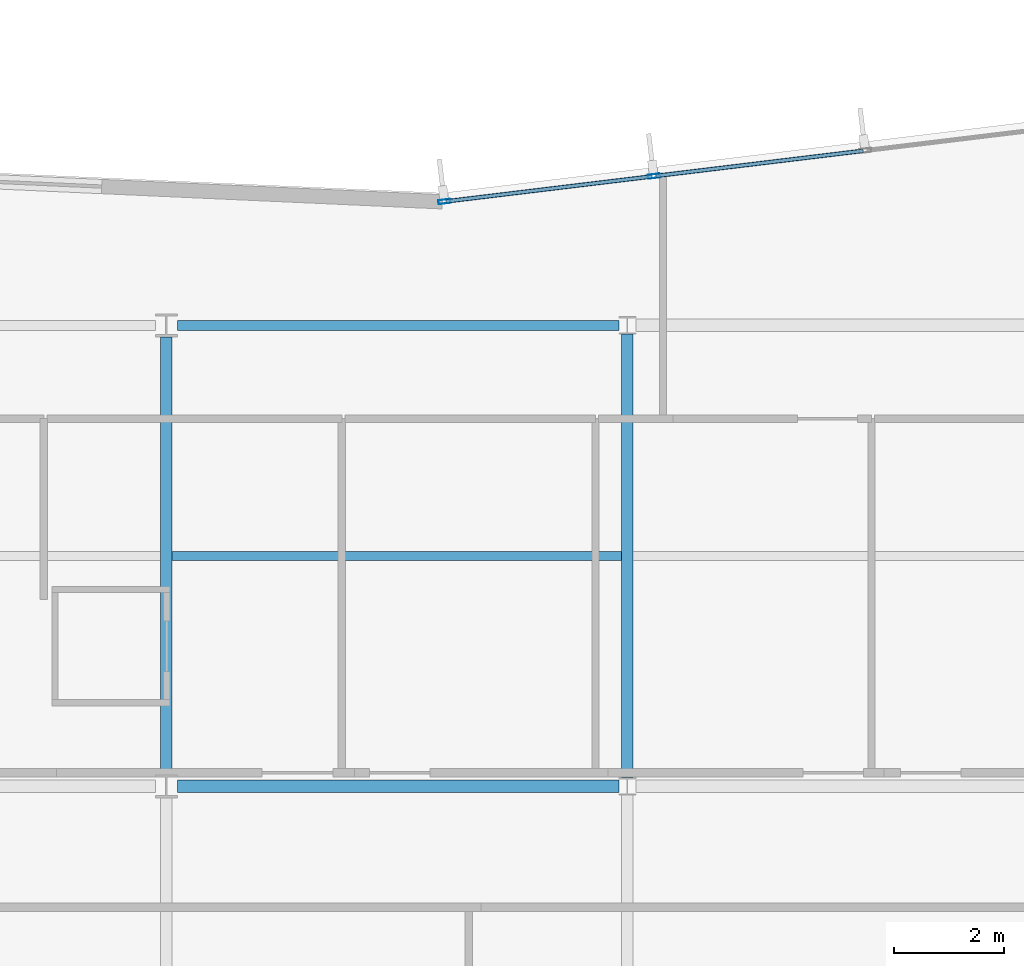
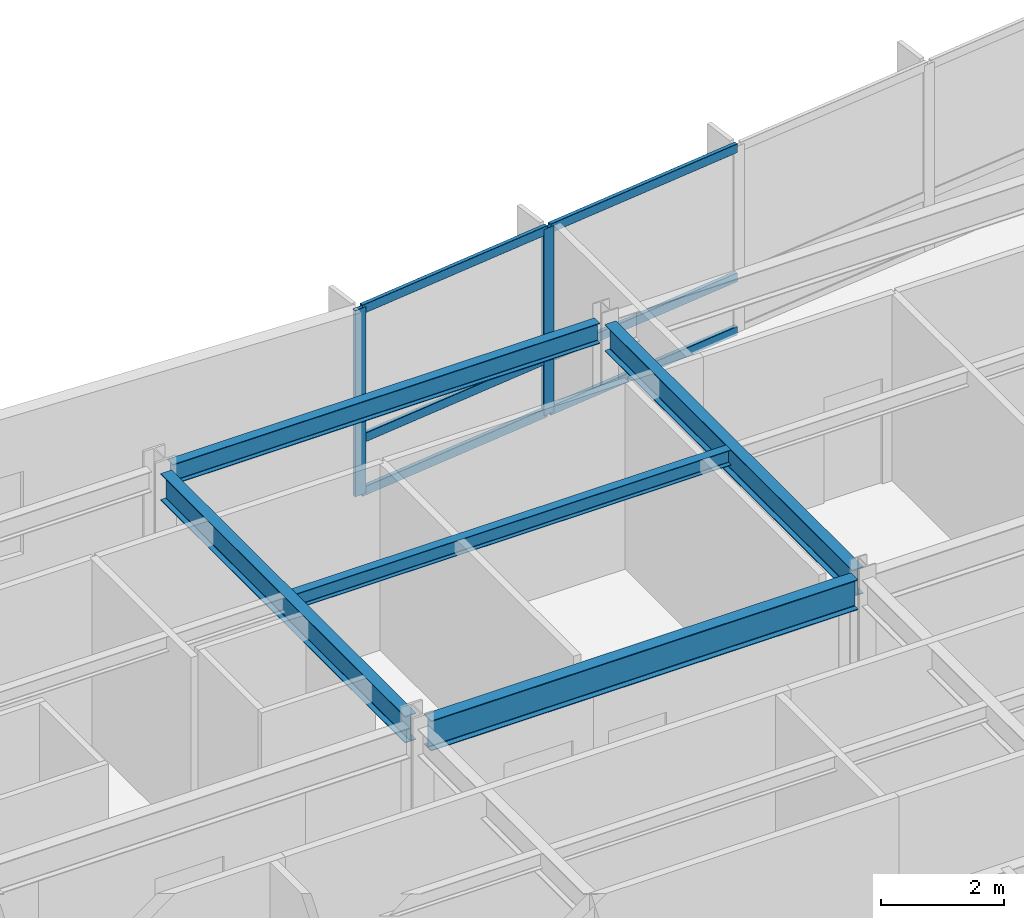
# One storey, part 6 of 18: 8 members, 5 beams, 1 element without a shape of its own.
"""IFC4 building model written with IfcOpenShell, lengths in metres."""

from ifc_helpers import new_model, si_unit, direction, frame, origin, origin_2d, place, context, subcontext, project, spatial, hollow_rectangle, i_section, extrude, material, layer, layer_set, material_profile, profile_set, type_object, element, aggregate, save


model = new_model("IFC4")

# Units and contexts
model_context = context("Model", 3, precision=1e-05, world=origin(), true_north=direction((0.0, 1.0)))
body_context = subcontext(model_context, "Body", "Model", "MODEL_VIEW")
ifc_project = project(units=[si_unit("LENGTHUNIT", "METRE"), si_unit("AREAUNIT", "SQUARE_METRE"), si_unit("VOLUMEUNIT", "CUBIC_METRE"), si_unit("PLANEANGLEUNIT", "RADIAN"), si_unit("MASSUNIT", "GRAM", prefix="KILO")], contexts=[model_context])

# Site, building, storey
site_placement = place(None, origin())
site = spatial("IfcSite", under=ifc_project, at=site_placement, CompositionType="ELEMENT")
building_placement = place(site_placement, origin())
building = spatial("IfcBuilding", under=site, at=building_placement, Name="Varnakote Quay Hospital", CompositionType="ELEMENT")
storey_placement = place(building_placement, frame((0.0, 0.0, 123.10009765625)))
storey = spatial("IfcBuildingStorey", under=building, at=storey_placement, Name="L30", CompositionType="ELEMENT", Elevation=123.10009765625)

# Beams
ifc_material_1 = material(Name="Structural steel AS/NZS 3679.1 Grade 350 L0 (fy 340 MPa)", Category="steel")
ifc_material_profile_1 = material_profile(ifc_material_1, i_section(OverallWidth=0.208984375, OverallDepth=0.532958984375, WebThickness=0.01025390625, FlangeThickness=0.015625, FilletRadius=0.013916015625, at=origin_2d()), Name="530UB92.4")
ifc_profile_set_1 = profile_set([ifc_material_profile_1], Name="Structural steel AS/NZS 3679.1 Grade 350 L0 (fy 340 MPa)")
beam_type_1 = type_object("IfcBeamType", Name="BM-STL-530UB92-4", PredefinedType="BEAM", material=ifc_profile_set_1)
beam_1_placement = place(storey_placement, frame((33.60009765625, 20.610107421875, 3.443359375), z_axis=(0.0, 1.0, 0.0), x_axis=(-1.0, 0.0, 0.0)))
element("IfcBeam", 1, at=beam_1_placement, inside=storey, type_object=beam_type_1, Name="L30 Primary Tie Beam", PredefinedType="BEAM", context=body_context, shape_type="SweptSolid", body=[
    extrude(i_section(OverallWidth=0.208984375, OverallDepth=0.532958984375, WebThickness=0.01025390625, FlangeThickness=0.015625, FilletRadius=0.013916015625, at=origin_2d()), origin(), (0.0, 0.0, 1.0), 7.97998046875),
])
beam_2_placement = place(storey_placement, frame((42.0, 20.560546875, 3.443359375), z_axis=(0.0, 1.0, 0.0), x_axis=(-1.0, 0.0, 0.0)))
element("IfcBeam", 2, at=beam_2_placement, inside=storey, type_object=beam_type_1, Name="L30 Primary Tie Beam", PredefinedType="BEAM", context=body_context, shape_type="SweptSolid", body=[
    extrude(i_section(OverallWidth=0.208984375, OverallDepth=0.532958984375, WebThickness=0.01025390625, FlangeThickness=0.015625, FilletRadius=0.013916015625, at=origin_2d()), origin(), (0.0, 0.0, 1.0), 8.078857421875),
])
ifc_material_2 = material(Name="Structural steel AS/NZS 3679.1 Grade 350 L0 (fy 340 MPa)", Category="steel")
ifc_material_profile_2 = material_profile(ifc_material_2, i_section(OverallWidth=0.22802734375, OverallDepth=0.60205078125, WebThickness=0.010498046875, FlangeThickness=0.014892578125, FilletRadius=0.013916015625, at=origin_2d()), Name="610UB101")
ifc_profile_set_2 = profile_set([ifc_material_profile_2], Name="Structural steel AS/NZS 3679.1 Grade 350 L0 (fy 340 MPa)")
beam_type_2 = type_object("IfcBeamType", Name="BM-STL-610UB101", PredefinedType="BEAM", material=ifc_profile_set_2)
beam_3_placement = place(storey_placement, frame((33.800048828125, 20.39990234375, 3.408935546875), z_axis=(1.0, 0.0, 0.0), x_axis=(0.0, 1.0, 0.0)))
element("IfcBeam", 3, at=beam_3_placement, inside=storey, type_object=beam_type_2, Name="L30 Primary Floor Beam", PredefinedType="BEAM", context=body_context, shape_type="SweptSolid", body=[
    extrude(i_section(OverallWidth=0.22802734375, OverallDepth=0.60205078125, WebThickness=0.010498046875, FlangeThickness=0.014892578125, FilletRadius=0.013916015625, at=origin_2d()), origin(), (0.0, 0.0, 1.0), 8.04541015625),
])

# Curtain wall, members
ifc_material_3 = material(Name="Anodised aluminium 6063-T6 Bronze", Category="aluminium")
ifc_layer = layer(ifc_material_3, 0.205078125)
ifc_layer_set = layer_set([ifc_layer], Name="Anodised aluminium 6063-T6 Bronze")
curtain_wall_type = type_object("IfcCurtainWallType", Name="CW-SYS-3", PredefinedType="NOTDEFINED", material=ifc_layer_set)
curtain_wall_placement = place(storey_placement, origin())
curtain_wall = element("IfcCurtainWall", 4, at=curtain_wall_placement, inside=storey, type_object=curtain_wall_type, Name="L30 Unitised Bronze Curtain Wall 2", PredefinedType="NOTDEFINED")
ifc_material_4 = material(Name="Anodised aluminium 6063-T6 Bronze", Category="aluminium")
ifc_material_profile_3 = material_profile(ifc_material_4, hollow_rectangle(XDim=0.074951171875, YDim=0.219970703125, WallThickness=0.00439453125, InnerFilletRadius=0.00439453125, OuterFilletRadius=0.009033203125, at=origin_2d()), Name="CW-MULL-220x75")
ifc_profile_set_3 = profile_set([ifc_material_profile_3], Name="Anodised aluminium 6063-T6 Bronze")
member_type_1 = type_object("IfcMemberType", Name="CW-MULL-220x75", PredefinedType="MULLION", material=ifc_profile_set_3)
member_1_placement = place(storey_placement, frame((42.482666015625, 31.5185546875, 0.0), z_axis=(0.0, 0.0, 1.0), x_axis=(0.12032713492, -0.992734295067, 0.0)))
member_1 = element("IfcMember", 5, at=member_1_placement, type_object=member_type_1, Name="-3-L30-2 mullion 4", PredefinedType="MULLION", context=body_context, shape_type="SweptSolid", body=[
    extrude(hollow_rectangle(XDim=0.074951171875, YDim=0.219970703125, WallThickness=0.00439453125, InnerFilletRadius=0.00439453125, OuterFilletRadius=0.009033203125, at=origin_2d()), origin(), (0.0, 0.0, 1.0), 3.7099609375),
])
member_2_placement = place(storey_placement, frame((38.667236328125, 31.05615234375, 0.0), z_axis=(0.0, 0.0, 1.0), x_axis=(0.12032713492, -0.992734295067, 0.0)))
member_2 = element("IfcMember", 6, at=member_2_placement, type_object=member_type_1, Name="-3-L30-2 mullion 5", PredefinedType="MULLION", context=body_context, shape_type="SweptSolid", body=[
    extrude(hollow_rectangle(XDim=0.074951171875, YDim=0.219970703125, WallThickness=0.00439453125, InnerFilletRadius=0.00439453125, OuterFilletRadius=0.009033203125, at=origin_2d()), origin(), (0.0, 0.0, 1.0), 3.7099609375),
])
ifc_material_5 = material(Name="Anodised aluminium 6063-T6 Bronze", Category="aluminium")
ifc_material_profile_4 = material_profile(ifc_material_5, hollow_rectangle(XDim=0.074951171875, YDim=0.179931640625, WallThickness=0.004150390625, InnerFilletRadius=0.004150390625, OuterFilletRadius=0.00830078125, at=origin_2d()), Name="CW-TRAN-180x75")
ifc_profile_set_4 = profile_set([ifc_material_profile_4], Name="Anodised aluminium 6063-T6 Bronze")
member_type_2 = type_object("IfcMemberType", Name="CW-TRAN-180x75", PredefinedType="USERDEFINED", material=ifc_profile_set_4)
member_3_placement = place(storey_placement, frame((46.2978515625, 31.98095703125, 0.037353515625), z_axis=(-0.992731924158, -0.120346694005, 0.0), x_axis=(0.120346694005, -0.992731924158, 0.0)))
member_3 = element("IfcMember", 7, at=member_3_placement, type_object=member_type_2, Name="-3-L30-2 transom 3.1", ObjectType="TRANSOM", PredefinedType="USERDEFINED", context=body_context, shape_type="SweptSolid", body=[
    extrude(hollow_rectangle(XDim=0.074951171875, YDim=0.179931640625, WallThickness=0.004150390625, InnerFilletRadius=0.004150390625, OuterFilletRadius=0.00830078125, at=origin_2d()), origin(), (0.0, 0.0, 1.0), 3.8056640625),
])
member_4_placement = place(storey_placement, frame((46.2978515625, 31.98095703125, 1.099853515625), z_axis=(-0.992731924158, -0.120346694005, 0.0), x_axis=(0.120346694005, -0.992731924158, 0.0)))
member_4 = element("IfcMember", 8, at=member_4_placement, type_object=member_type_2, Name="-3-L30-2 transom 3.2", ObjectType="TRANSOM", PredefinedType="USERDEFINED", context=body_context, shape_type="SweptSolid", body=[
    extrude(hollow_rectangle(XDim=0.074951171875, YDim=0.179931640625, WallThickness=0.004150390625, InnerFilletRadius=0.004150390625, OuterFilletRadius=0.00830078125, at=origin_2d()), origin(), (0.0, 0.0, 1.0), 3.8056640625),
])
member_5_placement = place(storey_placement, frame((46.2978515625, 31.98095703125, 3.67236328125), z_axis=(-0.992731924158, -0.120346694005, 0.0), x_axis=(0.120346694005, -0.992731924158, 0.0)))
member_5 = element("IfcMember", 9, at=member_5_placement, type_object=member_type_2, Name="-3-L30-2 transom 3.3", ObjectType="TRANSOM", PredefinedType="USERDEFINED", context=body_context, shape_type="SweptSolid", body=[
    extrude(hollow_rectangle(XDim=0.074951171875, YDim=0.179931640625, WallThickness=0.004150390625, InnerFilletRadius=0.004150390625, OuterFilletRadius=0.00830078125, at=origin_2d()), origin(), (0.0, 0.0, 1.0), 3.8056640625),
])
member_6_placement = place(storey_placement, frame((42.4453125, 31.513916015625, 0.037353515625), z_axis=(-0.992735423717, -0.120317822859, 0.0), x_axis=(0.120317822859, -0.992735423717, 0.0)))
member_6 = element("IfcMember", 10, at=member_6_placement, type_object=member_type_2, Name="-3-L30-2 transom 4.1", ObjectType="TRANSOM", PredefinedType="USERDEFINED", context=body_context, shape_type="SweptSolid", body=[
    extrude(hollow_rectangle(XDim=0.074951171875, YDim=0.179931640625, WallThickness=0.004150390625, InnerFilletRadius=0.004150390625, OuterFilletRadius=0.00830078125, at=origin_2d()), origin(), (0.0, 0.0, 1.0), 3.76806640625),
])
member_7_placement = place(storey_placement, frame((42.4453125, 31.513916015625, 1.099853515625), z_axis=(-0.992735423717, -0.120317822859, 0.0), x_axis=(0.120317822859, -0.992735423717, 0.0)))
member_7 = element("IfcMember", 11, at=member_7_placement, type_object=member_type_2, Name="-3-L30-2 transom 4.2", ObjectType="TRANSOM", PredefinedType="USERDEFINED", context=body_context, shape_type="SweptSolid", body=[
    extrude(hollow_rectangle(XDim=0.074951171875, YDim=0.179931640625, WallThickness=0.004150390625, InnerFilletRadius=0.004150390625, OuterFilletRadius=0.00830078125, at=origin_2d()), origin(), (0.0, 0.0, 1.0), 3.76806640625),
])
member_8_placement = place(storey_placement, frame((42.4453125, 31.513916015625, 3.67236328125), z_axis=(-0.992735423717, -0.120317822859, 0.0), x_axis=(0.120317822859, -0.992735423717, 0.0)))
member_8 = element("IfcMember", 12, at=member_8_placement, type_object=member_type_2, Name="-3-L30-2 transom 4.3", ObjectType="TRANSOM", PredefinedType="USERDEFINED", context=body_context, shape_type="SweptSolid", body=[
    extrude(hollow_rectangle(XDim=0.074951171875, YDim=0.179931640625, WallThickness=0.004150390625, InnerFilletRadius=0.004150390625, OuterFilletRadius=0.00830078125, at=origin_2d()), origin(), (0.0, 0.0, 1.0), 3.76806640625),
])
aggregate(curtain_wall, [member_1, member_2, member_3, member_4, member_5, member_6, member_7, member_8])

# Beams
ifc_material_6 = material(Name="Structural steel AS/NZS 3679.1 Grade 350 L0 (fy 340 MPa)", Category="steel")
ifc_material_profile_5 = material_profile(ifc_material_6, i_section(OverallWidth=0.1650390625, OverallDepth=0.303955078125, WebThickness=0.006103515625, FlangeThickness=0.01025390625, FilletRadius=0.011474609375, at=origin_2d()), Name="310UB40.4")
ifc_profile_set_5 = profile_set([ifc_material_profile_5], Name="Structural steel AS/NZS 3679.1 Grade 350 L0 (fy 340 MPa)")
beam_type_3 = type_object("IfcBeamType", Name="JST-STL-310UB40-4", PredefinedType="JOIST", material=ifc_profile_set_5)
beam_4_placement = place(storey_placement, frame((33.70458984375, 24.60009765625, 3.557861328125), z_axis=(1.0, 0.0, 0.0), x_axis=(0.0, 1.0, 0.0)))
element("IfcBeam", 13, at=beam_4_placement, inside=storey, type_object=beam_type_3, Name="L30 Composite Floor Joist", PredefinedType="JOIST", context=body_context, shape_type="SweptSolid", body=[
    extrude(i_section(OverallWidth=0.1650390625, OverallDepth=0.303955078125, WebThickness=0.006103515625, FlangeThickness=0.01025390625, FilletRadius=0.011474609375, at=origin_2d()), origin(), (0.0, 0.0, 1.0), 8.19091796875),
])
ifc_material_7 = material(Name="Structural steel AS/NZS 3679.1 Grade 350 L0 (fy 340 MPa)", Category="steel")
ifc_material_profile_6 = material_profile(ifc_material_7, i_section(OverallWidth=0.177978515625, OverallDepth=0.406005859375, WebThickness=0.0078125, FlangeThickness=0.0126953125, FilletRadius=0.011474609375, at=origin_2d()), Name="410UB59.7")
ifc_profile_set_6 = profile_set([ifc_material_profile_6], Name="Structural steel AS/NZS 3679.1 Grade 350 L0 (fy 340 MPa)")
beam_type_4 = type_object("IfcBeamType", Name="SPN-STL-410UB59-7", PredefinedType="SPANDREL", material=ifc_profile_set_6)
beam_5_placement = place(storey_placement, frame((33.800048828125, 28.800048828125, 3.5068359375), z_axis=(1.0, 0.0, 0.0), x_axis=(0.0, 1.0, 0.0)))
element("IfcBeam", 14, at=beam_5_placement, inside=storey, type_object=beam_type_4, Name="L30 Perimeter Spandrel Beam", PredefinedType="SPANDREL", context=body_context, shape_type="SweptSolid", body=[
    extrude(i_section(OverallWidth=0.177978515625, OverallDepth=0.406005859375, WebThickness=0.0078125, FlangeThickness=0.0126953125, FilletRadius=0.011474609375, at=origin_2d()), origin(), (0.0, 0.0, 1.0), 8.04541015625),
])

save(model, "model.ifc")
